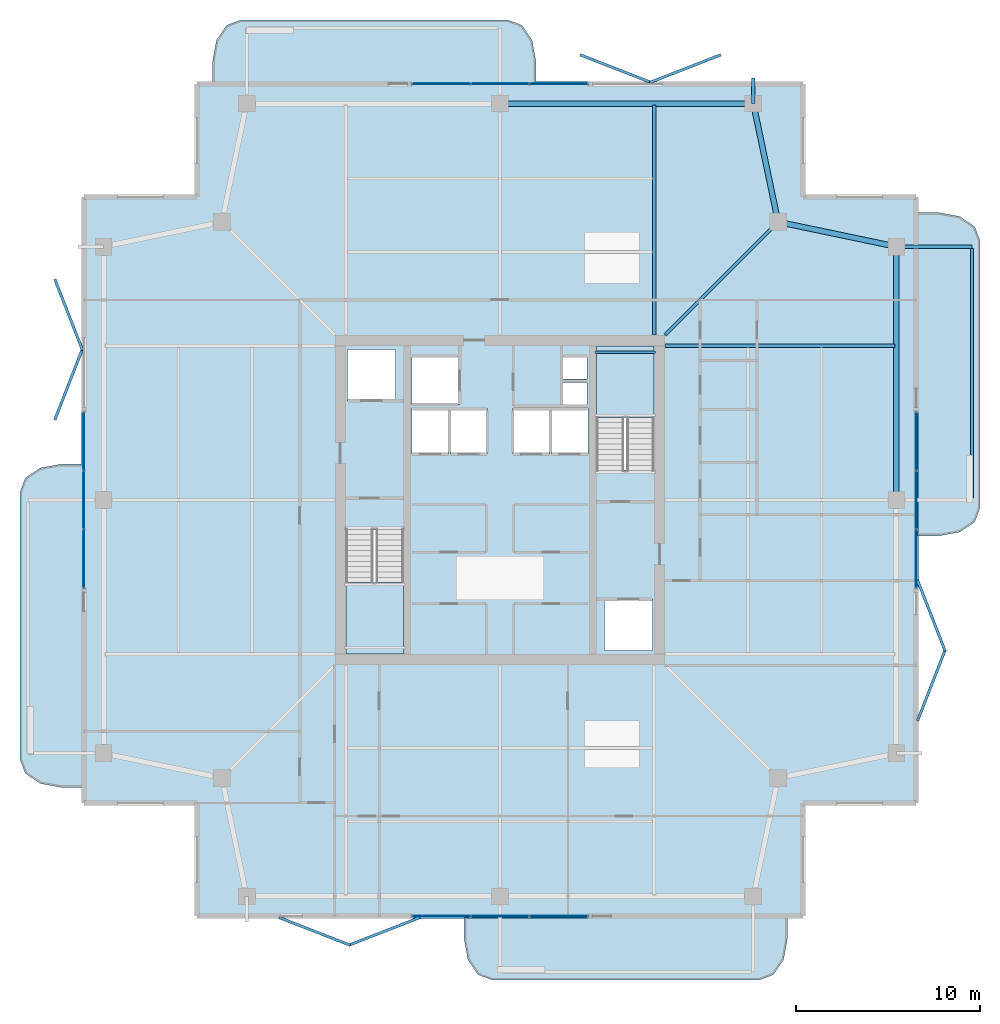
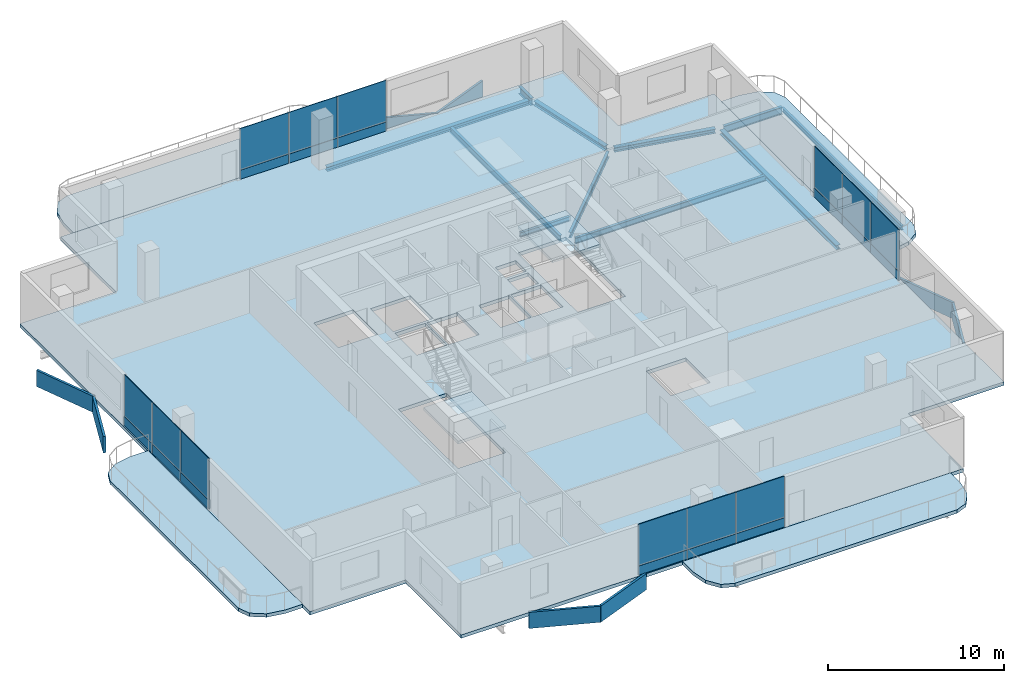
# One storey, part 11 of 18: 32 plates, 11 beams, 7 slabs, 6 elements without a shape of their own.
"""IFC4 building model written with IfcOpenShell, lengths in metres."""

from ifc_helpers import new_model, si_unit, direction, frame, origin, origin_2d, place, context, subcontext, project, spatial, polyline, rectangle, i_section, outline, extrude, material, layer, layer_set, material_profile, profile_set, type_object, element, aggregate, save


model = new_model("IFC4")

# Units and contexts
model_context = context("Model", 3, precision=1e-05, world=origin(), true_north=direction((0.0, 1.0)))
body_context = subcontext(model_context, "Body", "Model", "MODEL_VIEW")
ifc_project = project(units=[si_unit("LENGTHUNIT", "METRE"), si_unit("AREAUNIT", "SQUARE_METRE"), si_unit("VOLUMEUNIT", "CUBIC_METRE"), si_unit("PLANEANGLEUNIT", "RADIAN"), si_unit("MASSUNIT", "GRAM", prefix="KILO")], contexts=[model_context])

# Site, building, storey
site_placement = place(None, origin())
site = spatial("IfcSite", under=ifc_project, at=site_placement, CompositionType="ELEMENT")
building_placement = place(site_placement, origin())
building = spatial("IfcBuilding", under=site, at=building_placement, Name="Belovzor Exchange Tower", CompositionType="ELEMENT")
storey_placement = place(building_placement, frame((0.0, 0.0, 310.5)))
storey = spatial("IfcBuildingStorey", under=building, at=storey_placement, Name="L77", CompositionType="ELEMENT", Elevation=310.5)

# Beams
ifc_material_1 = material(Name="Steel S355", Category="steel")
ifc_material_profile_1 = material_profile(ifc_material_1, i_section(OverallWidth=0.199951171875, OverallDepth=0.5, WebThickness=0.01025390625, FlangeThickness=0.01611328125, at=origin_2d()))
ifc_profile_set_1 = profile_set([ifc_material_profile_1], Name="Steel S355")
beam_type_1 = type_object("IfcBeamType", Name="Planted Balcony Cantilever Beam IPE 500", PredefinedType="BEAM", material=ifc_profile_set_1)
beam_1_placement = place(storey_placement, frame((50.660888671875, 42.60009765625, -0.489990234375), z_axis=(1.0, 0.0, 0.0), x_axis=(0.0, 1.0, 0.0)))
element("IfcBeam", 1, at=beam_1_placement, inside=storey, type_object=beam_type_1, Name="BC-500 Planted Balcony Cantilever Beam IPE 500", PredefinedType="BEAM", context=body_context, shape_type="SweptSolid", body=[
    extrude(i_section(OverallWidth=0.199951171875, OverallDepth=0.5, WebThickness=0.01025390625, FlangeThickness=0.01611328125, at=origin_2d()), origin(), (0.0, 0.0, 1.0), 3.85009765625),
])
beam_2_placement = place(storey_placement, frame((42.60009765625, 50.39990234375, -0.489990234375), z_axis=(0.0, 1.0, 0.0), x_axis=(-1.0, 0.0, 0.0)))
element("IfcBeam", 2, at=beam_2_placement, inside=storey, type_object=beam_type_1, Name="BC-500 Planted Balcony Cantilever Beam IPE 500", PredefinedType="BEAM", context=body_context, shape_type="SweptSolid", body=[
    extrude(i_section(OverallWidth=0.199951171875, OverallDepth=0.5, WebThickness=0.01025390625, FlangeThickness=0.01611328125, at=origin_2d()), origin(), (0.0, 0.0, 1.0), 1.400146484375),
])
ifc_material_2 = material(Name="Steel S355", Category="steel")
ifc_material_profile_2 = material_profile(ifc_material_2, i_section(OverallWidth=0.14990234375, OverallDepth=0.300048828125, WebThickness=0.007080078125, FlangeThickness=0.0107421875, at=origin_2d()))
ifc_profile_set_2 = profile_set([ifc_material_profile_2], Name="Steel S355")
beam_type_2 = type_object("IfcBeamType", Name="Planted Balcony Fascia Edge Beam IPE 300", PredefinedType="BEAM", material=ifc_profile_set_2)
beam_3_placement = place(storey_placement, frame((54.510986328125, 28.89990234375, -0.389892578125), z_axis=(0.0, 1.0, 0.0), x_axis=(-1.0, 0.0, 0.0)))
element("IfcBeam", 3, at=beam_3_placement, inside=storey, type_object=beam_type_2, Name="BC-300 Planted Balcony Fascia Edge Beam IPE 300", PredefinedType="BEAM", context=body_context, shape_type="SweptSolid", body=[
    extrude(i_section(OverallWidth=0.14990234375, OverallDepth=0.300048828125, WebThickness=0.007080078125, FlangeThickness=0.0107421875, at=origin_2d()), origin(), (0.0, 0.0, 1.0), 13.60009765625),
])
ifc_material_3 = material(Name="Steel S355", Category="steel")
ifc_material_profile_3 = material_profile(ifc_material_3, i_section(OverallWidth=0.14990234375, OverallDepth=0.300048828125, WebThickness=0.007080078125, FlangeThickness=0.0107421875, at=origin_2d()))
ifc_profile_set_3 = profile_set([ifc_material_profile_3], Name="Steel S355")
beam_type_3 = type_object("IfcBeamType", Name="Secondary Trim Floor Joist IPE 300", PredefinedType="BEAM", material=ifc_profile_set_3)
beam_4_placement = place(storey_placement, frame((37.280029296875, 36.85009765625, 1.52490234375), z_axis=(-1.0, 0.0, 0.0), x_axis=(0.0, -1.0, 0.0)))
element("IfcBeam", 4, at=beam_4_placement, inside=storey, type_object=beam_type_3, Name="FJ-300 Secondary Trim Floor Joist IPE 300", PredefinedType="BEAM", context=body_context, shape_type="SweptSolid", body=[
    extrude(i_section(OverallWidth=0.14990234375, OverallDepth=0.300048828125, WebThickness=0.007080078125, FlangeThickness=0.0107421875, at=origin_2d()), origin(), (0.0, 0.0, 1.0), 3.31005859375),
])
ifc_material_4 = material(Name="Steel S355", Category="steel")
ifc_material_profile_4 = material_profile(ifc_material_4, i_section(OverallWidth=0.179931640625, OverallDepth=0.39990234375, WebThickness=0.008544921875, FlangeThickness=0.013427734375, at=origin_2d()))
ifc_profile_set_4 = profile_set([ifc_material_profile_4], Name="Steel S355")
beam_type_4 = type_object("IfcBeamType", Name="Zone 5-6 Radial Composite Floor Beam IPE 400", PredefinedType="BEAM", material=ifc_profile_set_4)
for number, where, z_axis, x_axis, name in (
    (5, (37.199951171875, 37.800048828125, -0.43994140625), (0.0, 1.0, 0.0), (-1.0, 0.0, 0.0), "FB-400 Zone 5-6 Radial Composite Floor Beam IPE 400"),
    (6, (37.800048828125, 37.199951171875, -0.43994140625), (1.0, 0.0, 0.0), (0.0, 1.0, 0.0), "FB-400 Zone 5-6 Radial Composite Floor Beam IPE 400"),
):
    element("IfcBeam", number, at=place(storey_placement, frame(where, z_axis=z_axis, x_axis=x_axis)), inside=storey, type_object=beam_type_4, Name=name, PredefinedType="BEAM", context=body_context, shape_type="SweptSolid", body=[
        extrude(i_section(OverallWidth=0.179931640625, OverallDepth=0.39990234375, WebThickness=0.008544921875, FlangeThickness=0.013427734375, at=origin_2d()), origin(), (0.0, 0.0, 1.0), 12.52490234375),
    ])
beam_5_placement = place(storey_placement, frame((37.800048828125, 37.800048828125, -0.43994140625), z_axis=(0.707106781187, 0.707106781187, 0.0), x_axis=(-0.707106781187, 0.707106781187, 0.0)))
element("IfcBeam", 7, at=beam_5_placement, inside=storey, type_object=beam_type_4, Name="FB-400 Zone 5-6 Radial Composite Floor Beam IPE 400", PredefinedType="BEAM", context=body_context, shape_type="SweptSolid", body=[
    extrude(i_section(OverallWidth=0.179931640625, OverallDepth=0.39990234375, WebThickness=0.008544921875, FlangeThickness=0.013427734375, at=origin_2d()), origin(), (0.0, 0.0, 1.0), 8.362060546875),
])
ifc_material_5 = material(Name="Steel S355", Category="steel")
ifc_material_profile_5 = material_profile(ifc_material_5, i_section(OverallWidth=0.300048828125, OverallDepth=0.300048828125, WebThickness=0.008544921875, FlangeThickness=0.013916015625, at=origin_2d()))
ifc_profile_set_5 = profile_set([ifc_material_profile_5], Name="Steel S355")
beam_type_5 = type_object("IfcBeamType", Name="Zone 6 Primary Girder HEA 300", PredefinedType="BEAM", material=ifc_profile_set_5)
beam_6_placement = place(storey_placement, frame((50.39990234375, 29.06103515625, -0.389892578125), z_axis=(0.0, 1.0, 0.0), x_axis=(-1.0, 0.0, 0.0)))
element("IfcBeam", 8, at=beam_6_placement, inside=storey, type_object=beam_type_5, Name="FG-Z6 Zone 6 Primary Girder HEA 300", PredefinedType="BEAM", context=body_context, shape_type="SweptSolid", body=[
    extrude(i_section(OverallWidth=0.300048828125, OverallDepth=0.300048828125, WebThickness=0.008544921875, FlangeThickness=0.013916015625, at=origin_2d()), origin(), (0.0, 0.0, 1.0), 13.278076171875),
])
for number, where, z_axis, x_axis, name in (
    (9, (50.14404296875, 42.654052734375, -0.389892578125), (-0.978820078908, 0.204722380619, 0.0), (-0.204722380619, -0.978820078908, 0.0), "FG-Z6 Zone 6 Primary Girder HEA 300"),
    (10, (43.89599609375, 44.2060546875, -0.389892578125), (-0.204722380619, 0.978820078908, 0.0), (-0.978820078908, -0.204722380619, 0.0), "FG-Z6 Zone 6 Primary Girder HEA 300"),
):
    element("IfcBeam", number, at=place(storey_placement, frame(where, z_axis=z_axis, x_axis=x_axis)), inside=storey, type_object=beam_type_5, Name=name, PredefinedType="BEAM", context=body_context, shape_type="SweptSolid", body=[
        extrude(i_section(OverallWidth=0.300048828125, OverallDepth=0.300048828125, WebThickness=0.008544921875, FlangeThickness=0.013916015625, at=origin_2d()), origin(), (0.0, 0.0, 1.0), 6.06640625),
    ])
beam_7_placement = place(storey_placement, frame((42.339111328125, 50.39990234375, -0.389892578125), z_axis=(-1.0, 0.0, 0.0), x_axis=(0.0, -1.0, 0.0)))
element("IfcBeam", 11, at=beam_7_placement, inside=storey, type_object=beam_type_5, Name="FG-Z6 Zone 6 Primary Girder HEA 300", PredefinedType="BEAM", context=body_context, shape_type="SweptSolid", body=[
    extrude(i_section(OverallWidth=0.300048828125, OverallDepth=0.300048828125, WebThickness=0.008544921875, FlangeThickness=0.013916015625, at=origin_2d()), origin(), (0.0, 0.0, 1.0), 13.278076171875),
])

# Slab
ifc_material_6 = material(Name="Concrete C40/50", Category="concrete")
ifc_layer_1 = layer(ifc_material_6, 0.239990234375)
ifc_layer_set_1 = layer_set([ifc_layer_1], Name="Concrete C40/50")
slab_type_1 = type_object("IfcSlabType", Name="Composite High-Rise Floor Deck Slab 240", PredefinedType="FLOOR", material=ifc_layer_set_1)
slab_1_placement = place(storey_placement, frame((0.0, 0.0, -0.239990234375)))
element("IfcSlab", 12, at=slab_1_placement, inside=storey, type_object=slab_type_1, Name="SL-F240 Structural Slab L77", PredefinedType="FLOOR", context=body_context, shape_type="SweptSolid", body=[
    extrude(outline(polyline([(12.300048828125, 6.0), (45.300048828125, 6.0), (45.300048828125, 12.300048828125), (51.60009765625, 12.300048828125), (51.60009765625, 45.300048828125), (45.300048828125, 45.300048828125), (45.300048828125, 51.60009765625), (12.300048828125, 51.60009765625), (12.300048828125, 45.300048828125), (6.0, 45.300048828125), (6.0, 12.300048828125), (12.300048828125, 12.300048828125), (12.300048828125, 6.0)]), holes=[polyline([(20.39990234375, 27.175048828125), (20.39990234375, 20.39990234375), (23.550048828125, 20.39990234375), (23.550048828125, 27.175048828125), (20.39990234375, 27.175048828125)]), polyline([(37.199951171875, 30.425048828125), (37.199951171875, 37.199951171875), (34.050048828125, 37.199951171875), (34.050048828125, 30.425048828125), (37.199951171875, 30.425048828125)]), polyline([(20.5, 34.199951171875), (23.10009765625, 34.199951171875), (23.10009765625, 37.0), (20.5, 37.0), (20.5, 34.199951171875)]), polyline([(34.5, 20.60009765625), (37.10009765625, 20.60009765625), (37.10009765625, 23.39990234375), (34.5, 23.39990234375), (34.5, 20.60009765625)]), polyline([(24.0, 34.0), (26.60009765625, 34.0), (26.60009765625, 36.60009765625), (24.0, 36.60009765625), (24.0, 34.0)]), polyline([(24.0, 31.300048828125), (26.0, 31.300048828125), (26.0, 33.800048828125), (24.0, 33.800048828125), (24.0, 31.300048828125)]), polyline([(26.10009765625, 31.300048828125), (28.10009765625, 31.300048828125), (28.10009765625, 33.800048828125), (26.10009765625, 33.800048828125), (26.10009765625, 31.300048828125)]), polyline([(29.5, 31.300048828125), (31.5, 31.300048828125), (31.5, 33.800048828125), (29.5, 33.800048828125), (29.5, 31.300048828125)]), polyline([(31.60009765625, 31.300048828125), (33.60009765625, 31.300048828125), (33.60009765625, 33.800048828125), (31.60009765625, 33.800048828125), (31.60009765625, 31.300048828125)]), polyline([(32.199951171875, 34.0), (33.550048828125, 34.0), (33.550048828125, 35.199951171875), (32.199951171875, 35.199951171875), (32.199951171875, 34.0)]), polyline([(32.199951171875, 35.39990234375), (33.550048828125, 35.39990234375), (33.550048828125, 36.60009765625), (32.199951171875, 36.60009765625), (32.199951171875, 35.39990234375)])]), origin(), (0.0, 0.0, 1.0), 0.239990234375),
])

# Curtain wall, plates
ifc_material_7 = material(Name="Anodised Aluminium Framing", Category="aluminium")
ifc_layer_2 = layer(ifc_material_7, 0.179931640625)
ifc_layer_set_2 = layer_set([ifc_layer_2], Name="Anodised Aluminium Framing")
curtain_wall_type = type_object("IfcCurtainWallType", Name="Recessed Loggia Low-Iron Triple-Glazed Curtain Wall", PredefinedType="NOTDEFINED", material=ifc_layer_set_2)
curtain_wall_1_placement = place(storey_placement, origin())
curtain_wall_1 = element("IfcCurtainWall", 13, at=curtain_wall_1_placement, inside=storey, type_object=curtain_wall_type, Name="CW3 Recessed Loggia Low-Iron Triple-Glazed Curtain Wall L77", PredefinedType="NOTDEFINED")
ifc_material_8 = material(Name="Solar-Control Triple Glazing", Category="glass")
ifc_layer_3 = layer(ifc_material_8, 0.0439453125)
ifc_layer_set_3 = layer_set([ifc_layer_3], Name="Solar-Control Triple Glazing")
plate_type_1 = type_object("IfcPlateType", Name="Insulated Solar Glazing Curtain Panel 44", PredefinedType="CURTAIN_PANEL", material=ifc_layer_set_3)
plate_1_placement = place(storey_placement, frame((32.0, 6.1298828125, 0.634033203125), z_axis=(0.0, 0.0, 1.0), x_axis=(-1.0, 0.0, 0.0)))
plate_1 = element("IfcPlate", 14, at=plate_1_placement, type_object=plate_type_1, Name="GLZ-44 Glazed Curtain Panel 1", PredefinedType="CURTAIN_PANEL", context=body_context, shape_type="SweptSolid", body=[
    extrude(rectangle(XDim=3.18408203125, YDim=0.0439453125, at=origin_2d()), origin(), (0.0, 0.0, 1.0), 2.8759765625),
])
plate_2_placement = place(storey_placement, frame((28.800048828125, 6.1298828125, 0.634033203125), z_axis=(0.0, 0.0, 1.0), x_axis=(-1.0, 0.0, 0.0)))
plate_2 = element("IfcPlate", 15, at=plate_2_placement, type_object=plate_type_1, Name="GLZ-44 Glazed Curtain Panel 2", PredefinedType="CURTAIN_PANEL", context=body_context, shape_type="SweptSolid", body=[
    extrude(rectangle(XDim=3.18408203125, YDim=0.0439453125, at=origin_2d()), origin(), (0.0, 0.0, 1.0), 2.8759765625),
])
plate_3_placement = place(storey_placement, frame((25.60009765625, 6.1298828125, 0.634033203125), z_axis=(0.0, 0.0, 1.0), x_axis=(-1.0, 0.0, 0.0)))
plate_3 = element("IfcPlate", 16, at=plate_3_placement, type_object=plate_type_1, Name="GLZ-44 Glazed Curtain Panel 3", PredefinedType="CURTAIN_PANEL", context=body_context, shape_type="SweptSolid", body=[
    extrude(rectangle(XDim=3.18408203125, YDim=0.0439453125, at=origin_2d()), origin(), (0.0, 0.0, 1.0), 2.8759765625),
])

curtain_wall_2_placement = place(storey_placement, origin())
curtain_wall_2 = element("IfcCurtainWall", 17, at=curtain_wall_2_placement, inside=storey, type_object=curtain_wall_type, Name="CW3 Recessed Loggia Low-Iron Triple-Glazed Curtain Wall L77", PredefinedType="NOTDEFINED")
plate_4_placement = place(storey_placement, frame((25.60009765625, 51.469970703125, 0.634033203125), z_axis=(0.0, 0.0, 1.0), x_axis=(1.0, 0.0, 0.0)))
plate_4 = element("IfcPlate", 18, at=plate_4_placement, type_object=plate_type_1, Name="GLZ-44 Glazed Curtain Panel 1", PredefinedType="CURTAIN_PANEL", context=body_context, shape_type="SweptSolid", body=[
    extrude(rectangle(XDim=3.18408203125, YDim=0.0439453125, at=origin_2d()), origin(), (0.0, 0.0, 1.0), 2.8759765625),
])
plate_5_placement = place(storey_placement, frame((28.800048828125, 51.469970703125, 0.634033203125), z_axis=(0.0, 0.0, 1.0), x_axis=(1.0, 0.0, 0.0)))
plate_5 = element("IfcPlate", 19, at=plate_5_placement, type_object=plate_type_1, Name="GLZ-44 Glazed Curtain Panel 2", PredefinedType="CURTAIN_PANEL", context=body_context, shape_type="SweptSolid", body=[
    extrude(rectangle(XDim=3.18408203125, YDim=0.0439453125, at=origin_2d()), origin(), (0.0, 0.0, 1.0), 2.8759765625),
])
plate_6_placement = place(storey_placement, frame((32.0, 51.469970703125, 0.634033203125), z_axis=(0.0, 0.0, 1.0), x_axis=(1.0, 0.0, 0.0)))
plate_6 = element("IfcPlate", 20, at=plate_6_placement, type_object=plate_type_1, Name="GLZ-44 Glazed Curtain Panel 3", PredefinedType="CURTAIN_PANEL", context=body_context, shape_type="SweptSolid", body=[
    extrude(rectangle(XDim=3.18408203125, YDim=0.0439453125, at=origin_2d()), origin(), (0.0, 0.0, 1.0), 2.8759765625),
])

curtain_wall_3_placement = place(storey_placement, origin())
curtain_wall_3 = element("IfcCurtainWall", 21, at=curtain_wall_3_placement, inside=storey, type_object=curtain_wall_type, Name="CW3 Recessed Loggia Low-Iron Triple-Glazed Curtain Wall L77", PredefinedType="NOTDEFINED")
plate_7_placement = place(storey_placement, frame((6.1298828125, 25.60009765625, 0.634033203125), z_axis=(0.0, 0.0, 1.0), x_axis=(0.0, 1.0, 0.0)))
plate_7 = element("IfcPlate", 22, at=plate_7_placement, type_object=plate_type_1, Name="GLZ-44 Glazed Curtain Panel 1", PredefinedType="CURTAIN_PANEL", context=body_context, shape_type="SweptSolid", body=[
    extrude(rectangle(XDim=3.18408203125, YDim=0.0439453125, at=origin_2d()), origin(), (0.0, 0.0, 1.0), 2.8759765625),
])
plate_8_placement = place(storey_placement, frame((6.1298828125, 28.800048828125, 0.634033203125), z_axis=(0.0, 0.0, 1.0), x_axis=(0.0, 1.0, 0.0)))
plate_8 = element("IfcPlate", 23, at=plate_8_placement, type_object=plate_type_1, Name="GLZ-44 Glazed Curtain Panel 2", PredefinedType="CURTAIN_PANEL", context=body_context, shape_type="SweptSolid", body=[
    extrude(rectangle(XDim=3.18408203125, YDim=0.0439453125, at=origin_2d()), origin(), (0.0, 0.0, 1.0), 2.8759765625),
])
plate_9_placement = place(storey_placement, frame((6.1298828125, 32.0, 0.634033203125), z_axis=(0.0, 0.0, 1.0), x_axis=(0.0, 1.0, 0.0)))
plate_9 = element("IfcPlate", 24, at=plate_9_placement, type_object=plate_type_1, Name="GLZ-44 Glazed Curtain Panel 3", PredefinedType="CURTAIN_PANEL", context=body_context, shape_type="SweptSolid", body=[
    extrude(rectangle(XDim=3.18408203125, YDim=0.0439453125, at=origin_2d()), origin(), (0.0, 0.0, 1.0), 2.8759765625),
])

curtain_wall_4_placement = place(storey_placement, origin())
curtain_wall_4 = element("IfcCurtainWall", 25, at=curtain_wall_4_placement, inside=storey, type_object=curtain_wall_type, Name="CW3 Recessed Loggia Low-Iron Triple-Glazed Curtain Wall L77", PredefinedType="NOTDEFINED")
plate_10_placement = place(storey_placement, frame((51.469970703125, 32.0, 0.634033203125), z_axis=(0.0, 0.0, 1.0), x_axis=(0.0, -1.0, 0.0)))
plate_10 = element("IfcPlate", 26, at=plate_10_placement, type_object=plate_type_1, Name="GLZ-44 Glazed Curtain Panel 1", PredefinedType="CURTAIN_PANEL", context=body_context, shape_type="SweptSolid", body=[
    extrude(rectangle(XDim=3.18408203125, YDim=0.0439453125, at=origin_2d()), origin(), (0.0, 0.0, 1.0), 2.8759765625),
])
plate_11_placement = place(storey_placement, frame((51.469970703125, 28.800048828125, 0.634033203125), z_axis=(0.0, 0.0, 1.0), x_axis=(0.0, -1.0, 0.0)))
plate_11 = element("IfcPlate", 27, at=plate_11_placement, type_object=plate_type_1, Name="GLZ-44 Glazed Curtain Panel 2", PredefinedType="CURTAIN_PANEL", context=body_context, shape_type="SweptSolid", body=[
    extrude(rectangle(XDim=3.18408203125, YDim=0.0439453125, at=origin_2d()), origin(), (0.0, 0.0, 1.0), 2.8759765625),
])
plate_12_placement = place(storey_placement, frame((51.469970703125, 25.60009765625, 0.634033203125), z_axis=(0.0, 0.0, 1.0), x_axis=(0.0, -1.0, 0.0)))
plate_12 = element("IfcPlate", 28, at=plate_12_placement, type_object=plate_type_1, Name="GLZ-44 Glazed Curtain Panel 3", PredefinedType="CURTAIN_PANEL", context=body_context, shape_type="SweptSolid", body=[
    extrude(rectangle(XDim=3.18408203125, YDim=0.0439453125, at=origin_2d()), origin(), (0.0, 0.0, 1.0), 2.8759765625),
])

# Stair, slab
ifc_material_9 = material(Name="Concrete C40/50", Category="concrete")
stair_type = type_object("IfcStairType", Name="Reinforced Concrete Dogleg Escape Stair 1350", PredefinedType="HALF_TURN_STAIR", material=ifc_material_9)
stair_1_placement = place(storey_placement, origin())
stair_1 = element("IfcStair", 29, at=stair_1_placement, inside=storey, type_object=stair_type, Name="L77 ST-1", PredefinedType="HALF_TURN_STAIR")
ifc_material_10 = material(Name="Concrete C40/50", Category="concrete")
ifc_layer_4 = layer(ifc_material_10, 0.199951171875)
ifc_layer_set_4 = layer_set([ifc_layer_4], Name="Concrete C40/50")
slab_type_2 = type_object("IfcSlabType", Name="Reinforced Concrete Stair Half-Landing Slab 200", PredefinedType="LANDING", material=ifc_layer_set_4)
slab_2_placement = place(storey_placement, frame((0.0, 0.0, 1.675048828125)))
slab_2 = element("IfcSlab", 30, at=slab_2_placement, type_object=slab_type_2, Name="ST-1 landing 1", PredefinedType="LANDING", context=body_context, shape_type="SweptSolid", body=[
    extrude(outline(polyline([(20.39990234375, 24.300048828125), (20.39990234375, 20.39990234375), (23.550048828125, 20.39990234375), (23.550048828125, 24.300048828125), (20.39990234375, 24.300048828125)])), origin(), (0.0, 0.0, 1.0), 0.199951171875),
])
aggregate(stair_1, [slab_2])

stair_2_placement = place(storey_placement, origin())
stair_2 = element("IfcStair", 31, at=stair_2_placement, inside=storey, type_object=stair_type, Name="L77 ST-2", PredefinedType="HALF_TURN_STAIR")
slab_3_placement = place(storey_placement, frame((0.0, 0.0, 1.675048828125)))
slab_3 = element("IfcSlab", 32, at=slab_3_placement, type_object=slab_type_2, Name="ST-2 landing 1", PredefinedType="LANDING", context=body_context, shape_type="SweptSolid", body=[
    extrude(outline(polyline([(37.199951171875, 33.300048828125), (37.199951171875, 37.199951171875), (34.050048828125, 37.199951171875), (34.050048828125, 33.300048828125), (37.199951171875, 33.300048828125)])), origin(), (0.0, 0.0, 1.0), 0.199951171875),
])
aggregate(stair_2, [slab_3])

# Plate
ifc_material_11 = material(Name="Extruded Architectural Terracotta", Category="masonry")
ifc_layer_5 = layer(ifc_material_11, 0.090087890625)
ifc_layer_set_5 = layer_set([ifc_layer_5], Name="Extruded Architectural Terracotta")
plate_type_2 = type_object("IfcPlateType", Name="Terracotta Shadow-Box Spandrel Panel 90", PredefinedType="CURTAIN_PANEL", material=ifc_layer_set_5)
plate_13_placement = place(storey_placement, frame((32.0, 6.1298828125, 0.0), z_axis=(0.0, 0.0, 1.0), x_axis=(-1.0, 0.0, 0.0)))
plate_13 = element("IfcPlate", 33, at=plate_13_placement, type_object=plate_type_2, Name="SPD-90 Spandrel Panel 1", PredefinedType="CURTAIN_PANEL", context=body_context, shape_type="SweptSolid", body=[
    extrude(rectangle(XDim=3.18408203125, YDim=0.090087890625, at=origin_2d()), origin(), (0.0, 0.0, 1.0), 0.6298828125),
])

plate_14_placement = place(storey_placement, frame((28.800048828125, 6.1298828125, 0.0), z_axis=(0.0, 0.0, 1.0), x_axis=(-1.0, 0.0, 0.0)))
plate_14 = element("IfcPlate", 34, at=plate_14_placement, type_object=plate_type_2, Name="SPD-90 Spandrel Panel 2", PredefinedType="CURTAIN_PANEL", context=body_context, shape_type="SweptSolid", body=[
    extrude(rectangle(XDim=3.18408203125, YDim=0.090087890625, at=origin_2d()), origin(), (0.0, 0.0, 1.0), 0.6298828125),
])

plate_15_placement = place(storey_placement, frame((25.60009765625, 6.1298828125, 0.0), z_axis=(0.0, 0.0, 1.0), x_axis=(-1.0, 0.0, 0.0)))
plate_15 = element("IfcPlate", 35, at=plate_15_placement, type_object=plate_type_2, Name="SPD-90 Spandrel Panel 3", PredefinedType="CURTAIN_PANEL", context=body_context, shape_type="SweptSolid", body=[
    extrude(rectangle(XDim=3.18408203125, YDim=0.090087890625, at=origin_2d()), origin(), (0.0, 0.0, 1.0), 0.6298828125),
])

aggregate(curtain_wall_1, [plate_13, plate_1, plate_14, plate_2, plate_15, plate_3])

plate_16_placement = place(storey_placement, frame((25.60009765625, 51.469970703125, 0.0), z_axis=(0.0, 0.0, 1.0), x_axis=(1.0, 0.0, 0.0)))
plate_16 = element("IfcPlate", 36, at=plate_16_placement, type_object=plate_type_2, Name="SPD-90 Spandrel Panel 1", PredefinedType="CURTAIN_PANEL", context=body_context, shape_type="SweptSolid", body=[
    extrude(rectangle(XDim=3.18408203125, YDim=0.090087890625, at=origin_2d()), origin(), (0.0, 0.0, 1.0), 0.6298828125),
])

plate_17_placement = place(storey_placement, frame((28.800048828125, 51.469970703125, 0.0), z_axis=(0.0, 0.0, 1.0), x_axis=(1.0, 0.0, 0.0)))
plate_17 = element("IfcPlate", 37, at=plate_17_placement, type_object=plate_type_2, Name="SPD-90 Spandrel Panel 2", PredefinedType="CURTAIN_PANEL", context=body_context, shape_type="SweptSolid", body=[
    extrude(rectangle(XDim=3.18408203125, YDim=0.090087890625, at=origin_2d()), origin(), (0.0, 0.0, 1.0), 0.6298828125),
])

plate_18_placement = place(storey_placement, frame((32.0, 51.469970703125, 0.0), z_axis=(0.0, 0.0, 1.0), x_axis=(1.0, 0.0, 0.0)))
plate_18 = element("IfcPlate", 38, at=plate_18_placement, type_object=plate_type_2, Name="SPD-90 Spandrel Panel 3", PredefinedType="CURTAIN_PANEL", context=body_context, shape_type="SweptSolid", body=[
    extrude(rectangle(XDim=3.18408203125, YDim=0.090087890625, at=origin_2d()), origin(), (0.0, 0.0, 1.0), 0.6298828125),
])

aggregate(curtain_wall_2, [plate_16, plate_4, plate_17, plate_5, plate_18, plate_6])

plate_19_placement = place(storey_placement, frame((6.1298828125, 25.60009765625, 0.0), z_axis=(0.0, 0.0, 1.0), x_axis=(0.0, 1.0, 0.0)))
plate_19 = element("IfcPlate", 39, at=plate_19_placement, type_object=plate_type_2, Name="SPD-90 Spandrel Panel 1", PredefinedType="CURTAIN_PANEL", context=body_context, shape_type="SweptSolid", body=[
    extrude(rectangle(XDim=3.18408203125, YDim=0.090087890625, at=origin_2d()), origin(), (0.0, 0.0, 1.0), 0.6298828125),
])

plate_20_placement = place(storey_placement, frame((6.1298828125, 28.800048828125, 0.0), z_axis=(0.0, 0.0, 1.0), x_axis=(0.0, 1.0, 0.0)))
plate_20 = element("IfcPlate", 40, at=plate_20_placement, type_object=plate_type_2, Name="SPD-90 Spandrel Panel 2", PredefinedType="CURTAIN_PANEL", context=body_context, shape_type="SweptSolid", body=[
    extrude(rectangle(XDim=3.18408203125, YDim=0.090087890625, at=origin_2d()), origin(), (0.0, 0.0, 1.0), 0.6298828125),
])

plate_21_placement = place(storey_placement, frame((6.1298828125, 32.0, 0.0), z_axis=(0.0, 0.0, 1.0), x_axis=(0.0, 1.0, 0.0)))
plate_21 = element("IfcPlate", 41, at=plate_21_placement, type_object=plate_type_2, Name="SPD-90 Spandrel Panel 3", PredefinedType="CURTAIN_PANEL", context=body_context, shape_type="SweptSolid", body=[
    extrude(rectangle(XDim=3.18408203125, YDim=0.090087890625, at=origin_2d()), origin(), (0.0, 0.0, 1.0), 0.6298828125),
])

aggregate(curtain_wall_3, [plate_19, plate_7, plate_20, plate_8, plate_21, plate_9])

plate_22_placement = place(storey_placement, frame((51.469970703125, 32.0, 0.0), z_axis=(0.0, 0.0, 1.0), x_axis=(0.0, -1.0, 0.0)))
plate_22 = element("IfcPlate", 42, at=plate_22_placement, type_object=plate_type_2, Name="SPD-90 Spandrel Panel 1", PredefinedType="CURTAIN_PANEL", context=body_context, shape_type="SweptSolid", body=[
    extrude(rectangle(XDim=3.18408203125, YDim=0.090087890625, at=origin_2d()), origin(), (0.0, 0.0, 1.0), 0.6298828125),
])

plate_23_placement = place(storey_placement, frame((51.469970703125, 28.800048828125, 0.0), z_axis=(0.0, 0.0, 1.0), x_axis=(0.0, -1.0, 0.0)))
plate_23 = element("IfcPlate", 43, at=plate_23_placement, type_object=plate_type_2, Name="SPD-90 Spandrel Panel 2", PredefinedType="CURTAIN_PANEL", context=body_context, shape_type="SweptSolid", body=[
    extrude(rectangle(XDim=3.18408203125, YDim=0.090087890625, at=origin_2d()), origin(), (0.0, 0.0, 1.0), 0.6298828125),
])

plate_24_placement = place(storey_placement, frame((51.469970703125, 25.60009765625, 0.0), z_axis=(0.0, 0.0, 1.0), x_axis=(0.0, -1.0, 0.0)))
plate_24 = element("IfcPlate", 44, at=plate_24_placement, type_object=plate_type_2, Name="SPD-90 Spandrel Panel 3", PredefinedType="CURTAIN_PANEL", context=body_context, shape_type="SweptSolid", body=[
    extrude(rectangle(XDim=3.18408203125, YDim=0.090087890625, at=origin_2d()), origin(), (0.0, 0.0, 1.0), 0.6298828125),
])

aggregate(curtain_wall_4, [plate_22, plate_10, plate_23, plate_11, plate_24, plate_12])

# Slabs
ifc_material_12 = material(Name="Concrete C40/50", Category="concrete")
ifc_layer_6 = layer(ifc_material_12, 0.239990234375)
ifc_layer_set_6 = layer_set([ifc_layer_6], Name="Concrete C40/50")
slab_type_3 = type_object("IfcSlabType", Name="Thermally Broken Upper Balcony Slab 240", PredefinedType="FLOOR", material=ifc_layer_set_6)
slab_4_placement = place(storey_placement, frame((0.0, 0.0, -0.239990234375)))
element("IfcSlab", 45, at=slab_4_placement, inside=storey, type_object=slab_type_3, Name="SL-BAL220 Planted Balcony Loggia L77 South", PredefinedType="FLOOR", context=body_context, shape_type="SweptSolid", body=[
    extrude(outline(polyline([(26.85009765625, 6.014892578125), (26.85009765625, 4.85009765625), (27.051025390625, 3.75), (27.60009765625, 2.945068359375), (28.35009765625, 2.64990234375), (42.949951171875, 2.64990234375), (43.699951171875, 2.945068359375), (44.2490234375, 3.75), (44.449951171875, 4.85009765625), (44.449951171875, 6.014892578125), (26.85009765625, 6.014892578125)])), origin(), (0.0, 0.0, 1.0), 0.239990234375),
])
slab_5_placement = place(storey_placement, frame((0.0, 0.0, -0.239990234375)))
element("IfcSlab", 46, at=slab_5_placement, inside=storey, type_object=slab_type_3, Name="SL-BAL220 Planted Balcony Loggia L77 North", PredefinedType="FLOOR", context=body_context, shape_type="SweptSolid", body=[
    extrude(outline(polyline([(30.75, 51.5849609375), (30.75, 52.75), (30.549072265625, 53.85009765625), (30.0, 54.655029296875), (29.25, 54.949951171875), (14.64990234375, 54.949951171875), (13.89990234375, 54.655029296875), (13.35107421875, 53.85009765625), (13.14990234375, 52.75), (13.14990234375, 51.5849609375), (30.75, 51.5849609375)])), origin(), (0.0, 0.0, 1.0), 0.239990234375),
])
slab_6_placement = place(storey_placement, frame((0.0, 0.0, -0.239990234375)))
element("IfcSlab", 47, at=slab_6_placement, inside=storey, type_object=slab_type_3, Name="SL-BAL220 Planted Balcony Loggia L77 East", PredefinedType="FLOOR", context=body_context, shape_type="SweptSolid", body=[
    extrude(outline(polyline([(51.5849609375, 26.85009765625), (52.75, 26.85009765625), (53.85009765625, 27.051025390625), (54.655029296875, 27.60009765625), (54.949951171875, 28.35009765625), (54.949951171875, 42.949951171875), (54.655029296875, 43.699951171875), (53.85009765625, 44.2490234375), (52.75, 44.449951171875), (51.5849609375, 44.449951171875), (51.5849609375, 26.85009765625)])), origin(), (0.0, 0.0, 1.0), 0.239990234375),
])
slab_7_placement = place(storey_placement, frame((0.0, 0.0, -0.239990234375)))
element("IfcSlab", 48, at=slab_7_placement, inside=storey, type_object=slab_type_3, Name="SL-BAL220 Planted Balcony Loggia L77 West", PredefinedType="FLOOR", context=body_context, shape_type="SweptSolid", body=[
    extrude(outline(polyline([(6.014892578125, 30.75), (4.85009765625, 30.75), (3.75, 30.549072265625), (2.945068359375, 30.0), (2.64990234375, 29.25), (2.64990234375, 14.64990234375), (2.945068359375, 13.89990234375), (3.75, 13.35107421875), (4.85009765625, 13.14990234375), (6.014892578125, 13.14990234375), (6.014892578125, 30.75)])), origin(), (0.0, 0.0, 1.0), 0.239990234375),
])

# Plates
ifc_material_13 = material(Name="Extruded Architectural Terracotta", Category="masonry")
ifc_layer_7 = layer(ifc_material_13, 0.14990234375)
ifc_layer_set_7 = layer_set([ifc_layer_7], Name="Extruded Architectural Terracotta")
plate_type_3 = type_object("IfcPlateType", Name="Upper-Crown Deep Folded Zigzag Terracotta Spandrel Louvre 150", PredefinedType="USERDEFINED", material=ifc_layer_set_7)
for number, where, z_axis, x_axis, name in (
    (49, (18.699951171875, 5.300048828125, -1.10498046875), (0.0, 0.0, 1.0), (0.931817969421, -0.362925986758, 0.0), "LVR-ZZ3 Zigzag Terracotta Spandrel Louvre L77 S1A"),
    (50, (22.5, 5.300048828125, -1.10498046875), (0.0, 0.0, 1.0), (0.931817969421, 0.362925986758, 0.0), "LVR-ZZ3 Zigzag Terracotta Spandrel Louvre L77 S1B"),
    (51, (52.300048828125, 18.699951171875, -1.10498046875), (0.0, 0.0, 1.0), (0.362925986758, 0.931817969421, 0.0), "LVR-ZZ3 Zigzag Terracotta Spandrel Louvre L77 E1A"),
    (52, (52.300048828125, 22.5, -1.10498046875), (0.0, 0.0, 1.0), (-0.362925986758, 0.931817969421, 0.0), "LVR-ZZ3 Zigzag Terracotta Spandrel Louvre L77 E1B"),
    (53, (35.10009765625, 52.300048828125, -1.10498046875), (0.0, 0.0, 1.0), (0.931817969421, -0.362925986758, 0.0), "LVR-ZZ3 Zigzag Terracotta Spandrel Louvre L77 N2A"),
    (54, (38.89990234375, 52.300048828125, -1.10498046875), (0.0, 0.0, 1.0), (0.931817969421, 0.362925986758, 0.0), "LVR-ZZ3 Zigzag Terracotta Spandrel Louvre L77 N2B"),
    (55, (5.300048828125, 35.10009765625, -1.10498046875), (0.0, 0.0, 1.0), (0.362925986758, 0.931817969421, 0.0), "LVR-ZZ3 Zigzag Terracotta Spandrel Louvre L77 W2A"),
    (56, (5.300048828125, 38.89990234375, -1.10498046875), (0.0, 0.0, 1.0), (-0.362925986758, 0.931817969421, 0.0), "LVR-ZZ3 Zigzag Terracotta Spandrel Louvre L77 W2B"),
):
    element("IfcPlate", number, at=place(storey_placement, frame(where, z_axis=z_axis, x_axis=x_axis)), inside=storey, type_object=plate_type_3, Name=name, ObjectType="SPANDREL_LOUVRE", PredefinedType="USERDEFINED", context=body_context, shape_type="SweptSolid", body=[
        extrude(rectangle(XDim=4.157958984375, YDim=0.14990234375, at=origin_2d()), origin(), (0.0, 0.0, 1.0), 1.1201171875),
    ])

save(model, "model.ifc")
